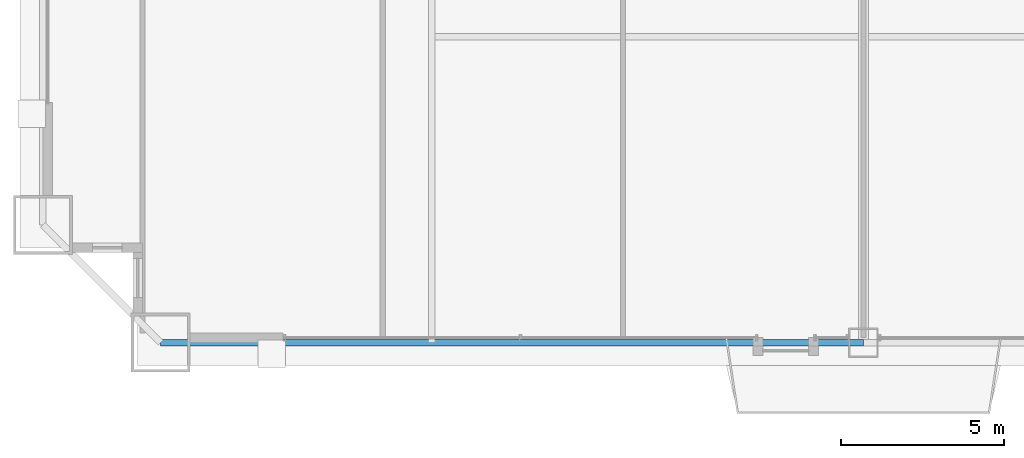
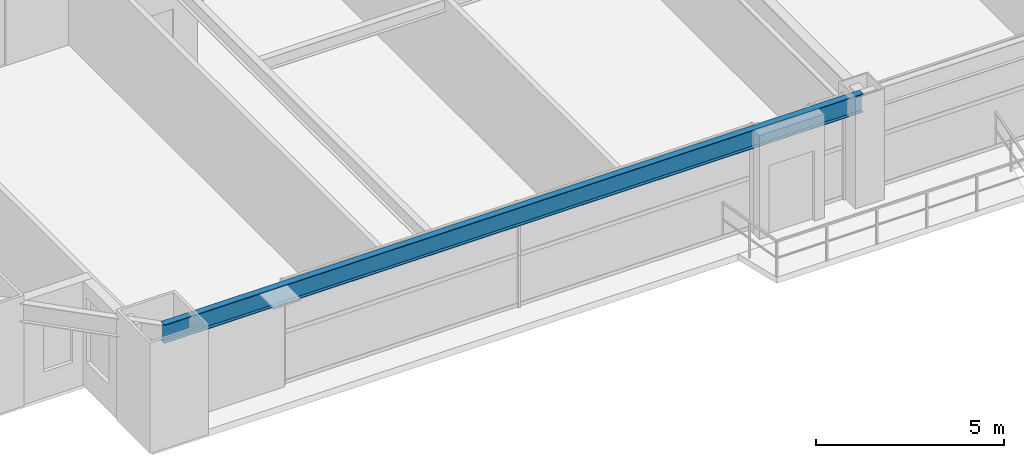
# One storey, part 4 of 45: 1 beam.
"""IFC4 building model written with IfcOpenShell, lengths in metres."""

import ifcopenshell
import ifcopenshell.guid

model = None  # the IFC model being written
_history = None  # IfcOwnerHistory: only IFC2X3 demands one
_inside = {}  # id of a spatial element -> (the spatial element, [elements in it])
_under = {}  # id of a project, library or spatial element -> (it, [spatial elements below it])
_declared = {}  # id of a project -> (the project, [libraries it declares])
_typed = {}  # id of a type object -> (the type object, [elements of that type])
_made_of = {}  # id of a material, layer set ... -> (it, [elements and type objects made of it])


def new_model(schema):
    """Start an empty IFC model of exactly this schema.

    Asked for "IFC4X3", IfcOpenShell would pick the latest addendum, in which some entities
    have other attributes; the version numbers below select the first issue.
    IFC2X3 requires an IfcOwnerHistory on every rooted entity: one is made here for all.
    """
    global model, _history
    if schema == "IFC4X3":
        model = ifcopenshell.file(schema_version=(4, 3, 0, 0))
    else:
        model = ifcopenshell.file(schema=schema)
    _inside.clear()
    _under.clear()
    _declared.clear()
    _typed.clear()
    _made_of.clear()
    _history = None
    if model.schema == "IFC2X3":
        org = make("IfcOrganization", Name="unknown")
        user = make(
            "IfcPersonAndOrganization",
            ThePerson=make("IfcPerson", FamilyName="unknown"),
            TheOrganization=org,
        )
        app = make(
            "IfcApplication",
            ApplicationDeveloper=org,
            Version="unknown",
            ApplicationFullName="unknown",
            ApplicationIdentifier="unknown",
        )
        _history = make(
            "IfcOwnerHistory",
            OwningUser=user,
            OwningApplication=app,
            ChangeAction="ADDED",
            CreationDate=0,
        )
    return model


def make(cls, **values):
    """One entity of the class cls with the attributes given. An attribute that is None is left unset."""
    return model.create_entity(
        cls, **{name: value for name, value in values.items() if value is not None}
    )


def rooted(cls, **values):
    """An entity with a GlobalId (a new one), such as an element, a storey or a relation."""
    return make(cls, GlobalId=ifcopenshell.guid.new(), OwnerHistory=_history, **values)


def si_unit(unit_type, name, prefix=None):
    """IfcSIUnit, for example si_unit("LENGTHUNIT", "METRE", prefix="MILLI")."""
    return make("IfcSIUnit", UnitType=unit_type, Prefix=prefix, Name=name)


def assignment(units):
    """IfcUnitAssignment: the units of a project."""
    return None if units is None else make("IfcUnitAssignment", Units=units)


def point(xyz):
    """IfcCartesianPoint."""
    return None if xyz is None else make("IfcCartesianPoint", Coordinates=xyz)


def direction(xyz):
    """IfcDirection."""
    return None if xyz is None else make("IfcDirection", DirectionRatios=xyz)


def frame(location, z_axis=None, x_axis=None):
    """IfcAxis2Placement3D, a coordinate frame: its origin and axes. An axis left out is left unset."""
    return make(
        "IfcAxis2Placement3D",
        Location=point(location),
        Axis=direction(z_axis),
        RefDirection=direction(x_axis),
    )


def frame_2d(location, x_axis=None):
    """IfcAxis2Placement2D, a coordinate frame in the plane: its origin and x axis."""
    return make(
        "IfcAxis2Placement2D", Location=point(location), RefDirection=direction(x_axis)
    )


def origin():
    """The frame at (0, 0, 0) with its axes left unset."""
    return frame((0.0, 0.0, 0.0))


def origin_2d():
    """The frame at (0, 0) in the plane with its x axis left unset."""
    return frame_2d((0.0, 0.0))


def place(relative_to, where):
    """IfcLocalPlacement: puts the frame where relative to a parent placement (None: the world)."""
    return make(
        "IfcLocalPlacement", PlacementRelTo=relative_to, RelativePlacement=where
    )


def context(
    kind, dimensions, precision=None, world=None, true_north=None, identifier=None
):
    """IfcGeometricRepresentationContext, for example the 3D "Model" context."""
    return make(
        "IfcGeometricRepresentationContext",
        ContextIdentifier=identifier,
        ContextType=kind,
        CoordinateSpaceDimension=dimensions,
        Precision=precision,
        WorldCoordinateSystem=world,
        TrueNorth=true_north,
    )


def subcontext(parent, identifier, kind, view, scale=None):
    """IfcGeometricRepresentationSubContext, for example "Body" below "Model"."""
    return make(
        "IfcGeometricRepresentationSubContext",
        ContextIdentifier=identifier,
        ContextType=kind,
        ParentContext=parent,
        TargetScale=scale,
        TargetView=view,
    )


def project(units=None, contexts=None):
    """IfcProject with its units and contexts."""
    return rooted(
        "IfcProject",
        Name="project",
        RepresentationContexts=contexts,
        UnitsInContext=assignment(units),
    )


def spatial(cls, under=None, at=None, **own):
    """A site, building, storey or space (cls), placed at a placement, below another one or the project."""
    s = rooted(cls, ObjectPlacement=at, **own)
    if under is not None:
        _under.setdefault(under.id(), (under, []))[1].append(s)
    return s


def profile(cls, at=None, kind="AREA", **sizes):
    """A parametric profile (cls). Its sizes go by their IFC names, for example OverallWidth=200.0."""
    return make(cls, ProfileType=kind, Position=at, **sizes)


def i_section(**sizes):
    """IfcIShapeProfileDef."""
    return profile("IfcIShapeProfileDef", **sizes)


def extrude(swept, where, along, depth):
    """IfcExtrudedAreaSolid: the profile swept, set in the frame where, extruded along a direction by depth."""
    return make(
        "IfcExtrudedAreaSolid",
        SweptArea=swept,
        Position=where,
        ExtrudedDirection=direction(along),
        Depth=depth,
    )


def shape(context_of_items, identifier, shape_type, items):
    """IfcShapeRepresentation: the items that make up one representation, for example the "Body"."""
    return make(
        "IfcShapeRepresentation",
        ContextOfItems=context_of_items,
        RepresentationIdentifier=identifier,
        RepresentationType=shape_type,
        Items=items,
    )


def source(mapping_origin, context_of_items, identifier, shape_type, items):
    """IfcRepresentationMap: a shape defined once, which mapped items show again and again."""
    return make(
        "IfcRepresentationMap",
        MappingOrigin=mapping_origin,
        MappedRepresentation=shape(context_of_items, identifier, shape_type, items),
    )


def transform(
    local_origin,
    x_axis=None,
    y_axis=None,
    z_axis=None,
    scale=None,
    scale2=None,
    scale3=None,
    uniform=True,
):
    """IfcCartesianTransformationOperator3D, or its non-uniform kind. x_axis, y_axis, z_axis: its Axis1, 2, 3."""
    if uniform:
        return make(
            "IfcCartesianTransformationOperator3D",
            Axis1=direction(x_axis),
            Axis2=direction(y_axis),
            LocalOrigin=point(local_origin),
            Scale=scale,
            Axis3=direction(z_axis),
        )
    return make(
        "IfcCartesianTransformationOperator3DnonUniform",
        Axis1=direction(x_axis),
        Axis2=direction(y_axis),
        LocalOrigin=point(local_origin),
        Scale=scale,
        Axis3=direction(z_axis),
        Scale2=scale2,
        Scale3=scale3,
    )


def mapped(mapping_source, mapping_target):
    """IfcMappedItem: shows the shape of a source again, moved by a transform."""
    return make(
        "IfcMappedItem", MappingSource=mapping_source, MappingTarget=mapping_target
    )


def material(Name=None, Category=None):
    """IfcMaterial."""
    return make("IfcMaterial", Name=Name, Category=Category)


def material_profile(
    of_material, cross_section, Name=None, Category=None, Priority=None
):
    """IfcMaterialProfile: a cross section and its material."""
    return make(
        "IfcMaterialProfile",
        Name=Name,
        Material=of_material,
        Profile=cross_section,
        Priority=Priority,
        Category=Category,
    )


def profile_set(profiles, Name=None, composite=None):
    """IfcMaterialProfileSet."""
    return make(
        "IfcMaterialProfileSet",
        Name=Name,
        MaterialProfiles=profiles,
        CompositeProfile=composite,
    )


def made_of(thing, what):
    """Note that an element or type object is made of a material, layer set ...; save() writes the relation."""
    if what is not None:
        _made_of.setdefault(what.id(), (what, []))[1].append(thing)
    return thing


def type_object(cls, material=None, **own):
    """A type object (cls), such as IfcWallType, which elements share."""
    return made_of(rooted(cls, **own), material)


def element(
    cls,
    number,
    at=None,
    inside=None,
    cuts=None,
    type_object=None,
    material=None,
    context=None,
    identifier="Body",
    shape_type=None,
    held_by="IfcProductDefinitionShape",
    body=None,
    shapes=None,
    **own,
):
    """One element of the class cls, such as IfcWall. Its Tag is "e" and its number.

    at: its placement. inside: the storey or other place that contains it. cuts: it is an
    opening in that element (IfcRelVoidsElement). A single representation is given by context,
    identifier, shape_type and body (its items); several are given by shapes. held_by: the class
    of the entity that holds the representations. save() writes the other relations.
    """
    e = rooted(cls, Tag="e%d" % number, ObjectPlacement=at, **own)
    if body is not None:
        shapes = [shape(context, identifier, shape_type, body)]
    if shapes is not None:
        e.Representation = make(held_by, Representations=shapes)
    if inside is not None:
        _inside.setdefault(inside.id(), (inside, []))[1].append(e)
    if cuts is not None:
        rooted(
            "IfcRelVoidsElement", RelatingBuildingElement=cuts, RelatedOpeningElement=e
        )
    if type_object is not None:
        _typed.setdefault(type_object.id(), (type_object, []))[1].append(e)
    return made_of(e, material)


def aggregate(whole, parts):
    """IfcRelAggregates: a whole, such as a stair, and the parts it consists of."""
    return rooted("IfcRelAggregates", RelatingObject=whole, RelatedObjects=parts)


def save(model, path):
    """Write the relations noted so far, then the file.

    IfcRelAggregates (storeys below a building ...), IfcRelContainedInSpatialStructure (elements
    in a storey), IfcRelDefinesByType, IfcRelAssociatesMaterial and IfcRelDeclares: one each for
    every whole, place, type object, material and project.
    """
    for whole, parts in _under.values():
        aggregate(whole, parts)
    for where, things in _inside.values():
        rooted(
            "IfcRelContainedInSpatialStructure",
            RelatedElements=things,
            RelatingStructure=where,
        )
    for kind, things in _typed.values():
        rooted("IfcRelDefinesByType", RelatedObjects=things, RelatingType=kind)
    for what, things in _made_of.values():
        rooted("IfcRelAssociatesMaterial", RelatedObjects=things, RelatingMaterial=what)
    for by, libraries in _declared.values():
        rooted("IfcRelDeclares", RelatingContext=by, RelatedDefinitions=libraries)
    model.write(path)


model = new_model("IFC4")

# Units and contexts
model_context = context("Model", 3, precision=1e-05, world=origin(), true_north=direction((0.0, 1.0)))
body_context = subcontext(model_context, "Body", "Model", "MODEL_VIEW")
ifc_project = project(units=[si_unit("LENGTHUNIT", "METRE"), si_unit("AREAUNIT", "SQUARE_METRE"), si_unit("VOLUMEUNIT", "CUBIC_METRE"), si_unit("PLANEANGLEUNIT", "RADIAN"), si_unit("MASSUNIT", "GRAM", prefix="KILO"), si_unit("THERMODYNAMICTEMPERATUREUNIT", "KELVIN"), si_unit("POWERUNIT", "WATT")], contexts=[model_context])

# Site, building, storey
site_placement = place(None, origin())
site = spatial("IfcSite", under=ifc_project, at=site_placement, CompositionType="ELEMENT")
building_placement = place(site_placement, origin())
building = spatial("IfcBuilding", under=site, at=building_placement, Name="Yuzanri Waterfront Tower", CompositionType="ELEMENT")
storey_placement = place(building_placement, frame((0.0, 0.0, 34.199951171875)))
storey = spatial("IfcBuildingStorey", under=building, at=storey_placement, Name="L08", CompositionType="ELEMENT", Elevation=34.199951171875)

# Beam
ifc_material = material(Name="Steel Q355B", Category="steel")
ifc_material_profile = material_profile(ifc_material, i_section(OverallWidth=0.199951171875, OverallDepth=0.60009765625, WebThickness=0.010986328125, FlangeThickness=0.01708984375, at=origin_2d()), Name="HN 600x200x11x17")
ifc_profile_set = profile_set([ifc_material_profile], Name="Steel Q355B")
beam_type = type_object("IfcBeamType", Name="Perimeter Spandrel Q355B HN 600x200", PredefinedType="SPANDREL", material=ifc_profile_set)
shared_shape = source(origin(), body_context, "Body", "SweptSolid", [
    extrude(i_section(OverallWidth=0.199951171875, OverallDepth=0.60009765625, WebThickness=0.010986328125, FlangeThickness=0.01708984375, at=origin_2d()), origin(), (0.0, 0.0, 1.0), 21.5),
])
beam_placement = place(storey_placement, frame((15.5, 0.699951171875, 3.080078125), z_axis=(1.0, 0.0, 0.0), x_axis=(0.0, 1.0, 0.0)))
element("IfcBeam", 1, at=beam_placement, inside=storey, type_object=beam_type, Name="L08 Perimeter Spandrel S1-S2", PredefinedType="SPANDREL", context=body_context, shape_type="MappedRepresentation", body=[
    mapped(shared_shape, transform((0.0, 0.0, 0.0), scale=1.0)),
])

save(model, "model.ifc")
